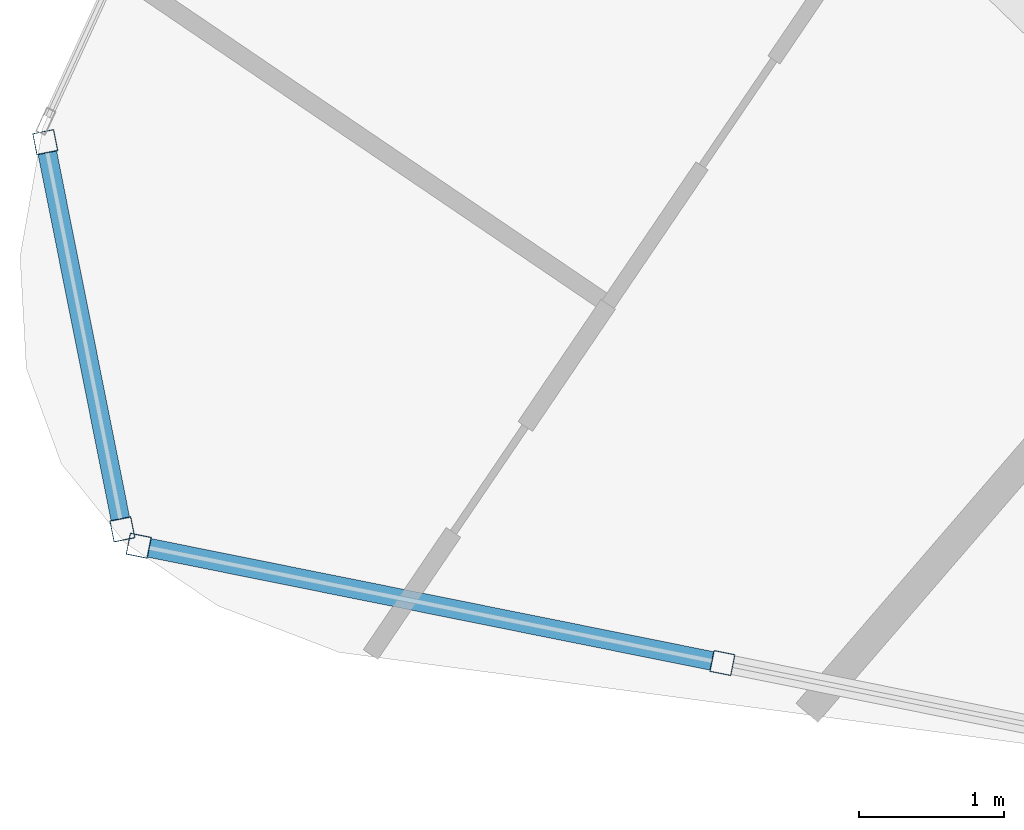
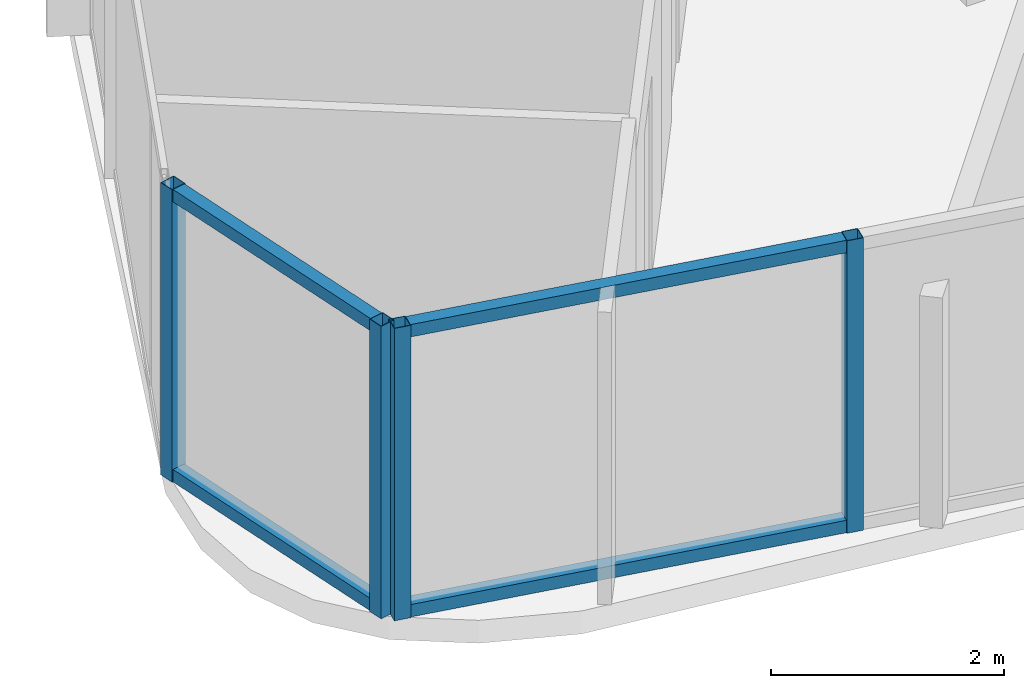
# One storey, part 2 of 35: 8 members, 2 elements without a shape of their own.
"""IFC4 building model written with IfcOpenShell, lengths in metres."""

from ifc_helpers import new_model, si_unit, direction, frame, origin, origin_2d, place, context, subcontext, project, spatial, hollow_rectangle, extrude, material, layer, layer_set, material_profile, profile_set, type_object, element, aggregate, save


model = new_model("IFC4")

# Units and contexts
model_context = context("Model", 3, precision=1e-05, world=origin(), true_north=direction((0.0, 1.0)))
body_context = subcontext(model_context, "Body", "Model", "MODEL_VIEW")
ifc_project = project(units=[si_unit("LENGTHUNIT", "METRE"), si_unit("AREAUNIT", "SQUARE_METRE"), si_unit("VOLUMEUNIT", "CUBIC_METRE"), si_unit("PLANEANGLEUNIT", "RADIAN"), si_unit("MASSUNIT", "GRAM", prefix="KILO")], contexts=[model_context])

# Site, building, storey
site_placement = place(None, origin())
site = spatial("IfcSite", under=ifc_project, at=site_placement, CompositionType="ELEMENT")
building_placement = place(site_placement, origin())
building = spatial("IfcBuilding", under=site, at=building_placement, Name="Orvanel Arch Residences", CompositionType="ELEMENT")
storey_placement = place(building_placement, frame((0.0, 0.0, 26.89990234375)))
storey = spatial("IfcBuildingStorey", under=building, at=storey_placement, Name="L06", CompositionType="ELEMENT", Elevation=26.89990234375)

# Curtain wall, members
ifc_material = material(Name="Bronze-anodised aluminium AA6063-T6", Category="aluminium")
ifc_layer = layer(ifc_material, 0.18994140625)
ifc_layer_set = layer_set([ifc_layer], Name="Bronze-anodised aluminium AA6063-T6")
curtain_wall_type = type_object("IfcCurtainWallType", Name="CW5-CRN-SYS", PredefinedType="NOTDEFINED", material=ifc_layer_set)
curtain_wall_1_placement = place(storey_placement, origin())
curtain_wall_1 = element("IfcCurtainWall", 1, at=curtain_wall_1_placement, inside=storey, type_object=curtain_wall_type, Name="L06 CW5-CRN-SYS Unitised Curtain Wall", PredefinedType="NOTDEFINED")
ifc_material_profile_1 = material_profile(ifc_material, hollow_rectangle(XDim=0.14990234375, YDim=0.14990234375, WallThickness=0.0048828125, at=origin_2d()), Name="ALU150x150x5")
ifc_profile_set_1 = profile_set([ifc_material_profile_1], Name="Bronze-anodised aluminium AA6063-T6")
member_type_1 = type_object("IfcMemberType", Name="MUL-150x150", PredefinedType="MULLION", material=ifc_profile_set_1)
member_1_placement = place(storey_placement, frame((4.002685546875, 6.883544921875, 0.0), z_axis=(0.0, 0.0, 1.0), x_axis=(0.980714680144, 0.195444918456, 0.0)))
member_1 = element("IfcMember", 2, at=member_1_placement, type_object=member_type_1, Name="CW-S5 mullion 1", PredefinedType="MULLION", context=body_context, shape_type="SweptSolid", body=[
    extrude(hollow_rectangle(XDim=0.14990234375, YDim=0.14990234375, WallThickness=0.0048828125, at=origin_2d()), origin(), (0.0, 0.0, 1.0), 3.06005859375),
])
member_2_placement = place(storey_placement, frame((4.533447265625, 4.220458984375, 0.0), z_axis=(0.0, 0.0, 1.0), x_axis=(0.980714680144, 0.195444918456, 0.0)))
member_2 = element("IfcMember", 3, at=member_2_placement, type_object=member_type_1, Name="CW-S5 mullion 2", PredefinedType="MULLION", context=body_context, shape_type="SweptSolid", body=[
    extrude(hollow_rectangle(XDim=0.14990234375, YDim=0.14990234375, WallThickness=0.0048828125, at=origin_2d()), origin(), (0.0, 0.0, 1.0), 3.06005859375),
])

curtain_wall_2_placement = place(storey_placement, origin())
curtain_wall_2 = element("IfcCurtainWall", 4, at=curtain_wall_2_placement, inside=storey, type_object=curtain_wall_type, Name="L06 CW5-CRN-SYS Unitised Curtain Wall", PredefinedType="NOTDEFINED")
member_3_placement = place(storey_placement, frame((4.6455078125, 4.108154296875, 0.0), z_axis=(0.0, 0.0, 1.0), x_axis=(0.197038556687, 0.980395740086, 0.0)))
member_3 = element("IfcMember", 5, at=member_3_placement, type_object=member_type_1, Name="CW-S5 mullion 1", PredefinedType="MULLION", context=body_context, shape_type="SweptSolid", body=[
    extrude(hollow_rectangle(XDim=0.14990234375, YDim=0.14990234375, WallThickness=0.0048828125, at=origin_2d()), origin(), (0.0, 0.0, 1.0), 3.06005859375),
])
member_4_placement = place(storey_placement, frame((8.659423828125, 3.301513671875, 0.0), z_axis=(0.0, 0.0, 1.0), x_axis=(0.197038556687, 0.980395740086, 0.0)))
member_4 = element("IfcMember", 6, at=member_4_placement, type_object=member_type_1, Name="CW-S5 mullion 2", PredefinedType="MULLION", context=body_context, shape_type="SweptSolid", body=[
    extrude(hollow_rectangle(XDim=0.14990234375, YDim=0.14990234375, WallThickness=0.0048828125, at=origin_2d()), origin(), (0.0, 0.0, 1.0), 3.06005859375),
])

# Member
ifc_material_profile_2 = material_profile(ifc_material, hollow_rectangle(XDim=0.1298828125, YDim=0.1298828125, WallThickness=0.00439453125, at=origin_2d()), Name="ALU130x130x4.5")
ifc_profile_set_2 = profile_set([ifc_material_profile_2], Name="Bronze-anodised aluminium AA6063-T6")
member_type_2 = type_object("IfcMemberType", Name="TRN-130x130", PredefinedType="USERDEFINED", material=ifc_profile_set_2)
member_5_placement = place(storey_placement, frame((4.017333984375, 6.809814453125, 0.065185546875), z_axis=(0.195493783771, -0.980704940595, 0.0), x_axis=(0.980704940595, 0.195493783771, 0.0)))
member_5 = element("IfcMember", 7, at=member_5_placement, type_object=member_type_2, Name="CW-S5 transom 1.1", ObjectType="TRANSOM", PredefinedType="USERDEFINED", context=body_context, shape_type="SweptSolid", body=[
    extrude(hollow_rectangle(XDim=0.1298828125, YDim=0.1298828125, WallThickness=0.00439453125, at=origin_2d()), origin(), (0.0, 0.0, 1.0), 2.565185546875),
])

member_6_placement = place(storey_placement, frame((4.017333984375, 6.809814453125, 2.9951171875), z_axis=(0.195493783771, -0.980704940595, 0.0), x_axis=(0.980704940595, 0.195493783771, 0.0)))
member_6 = element("IfcMember", 8, at=member_6_placement, type_object=member_type_2, Name="CW-S5 transom 1.2", ObjectType="TRANSOM", PredefinedType="USERDEFINED", context=body_context, shape_type="SweptSolid", body=[
    extrude(hollow_rectangle(XDim=0.1298828125, YDim=0.1298828125, WallThickness=0.00439453125, at=origin_2d()), origin(), (0.0, 0.0, 1.0), 2.565185546875),
])

aggregate(curtain_wall_1, [member_1, member_2, member_5, member_6])

member_7_placement = place(storey_placement, frame((4.718994140625, 4.093505859375, 0.065185546875), z_axis=(0.980387368562, -0.197080205916, 0.0), x_axis=(0.197080205916, 0.980387368562, 0.0)))
member_7 = element("IfcMember", 9, at=member_7_placement, type_object=member_type_2, Name="CW-S5 transom 1.1", ObjectType="TRANSOM", PredefinedType="USERDEFINED", context=body_context, shape_type="SweptSolid", body=[
    extrude(hollow_rectangle(XDim=0.1298828125, YDim=0.1298828125, WallThickness=0.00439453125, at=origin_2d()), origin(), (0.0, 0.0, 1.0), 3.9443359375),
])

member_8_placement = place(storey_placement, frame((4.718994140625, 4.093505859375, 2.9951171875), z_axis=(0.980387368562, -0.197080205916, 0.0), x_axis=(0.197080205916, 0.980387368562, 0.0)))
member_8 = element("IfcMember", 10, at=member_8_placement, type_object=member_type_2, Name="CW-S5 transom 1.2", ObjectType="TRANSOM", PredefinedType="USERDEFINED", context=body_context, shape_type="SweptSolid", body=[
    extrude(hollow_rectangle(XDim=0.1298828125, YDim=0.1298828125, WallThickness=0.00439453125, at=origin_2d()), origin(), (0.0, 0.0, 1.0), 3.9443359375),
])

aggregate(curtain_wall_2, [member_3, member_4, member_7, member_8])

save(model, "model.ifc")
